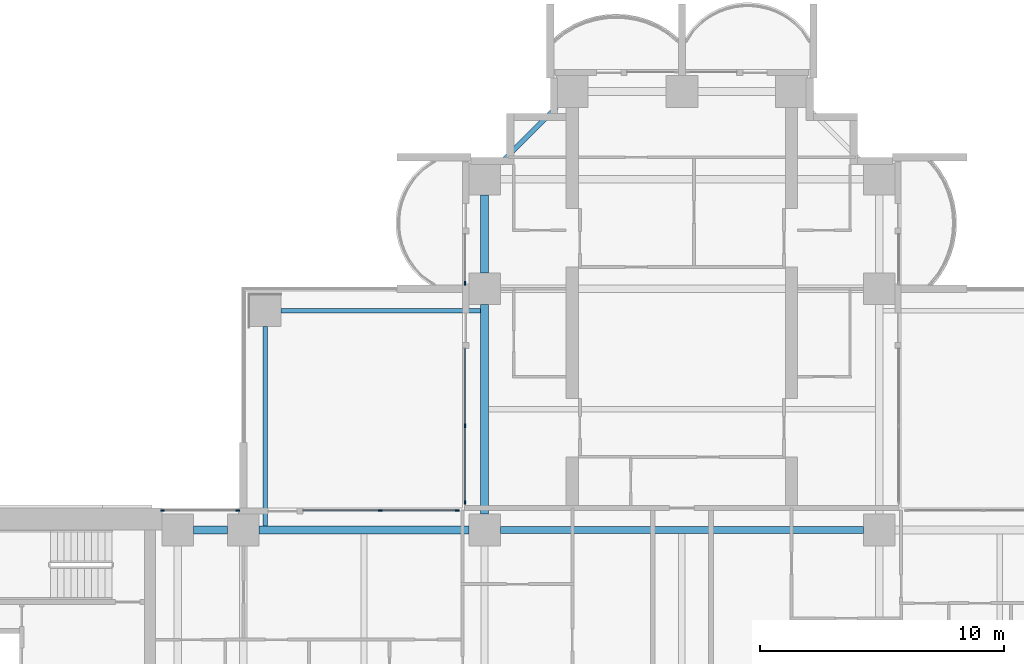
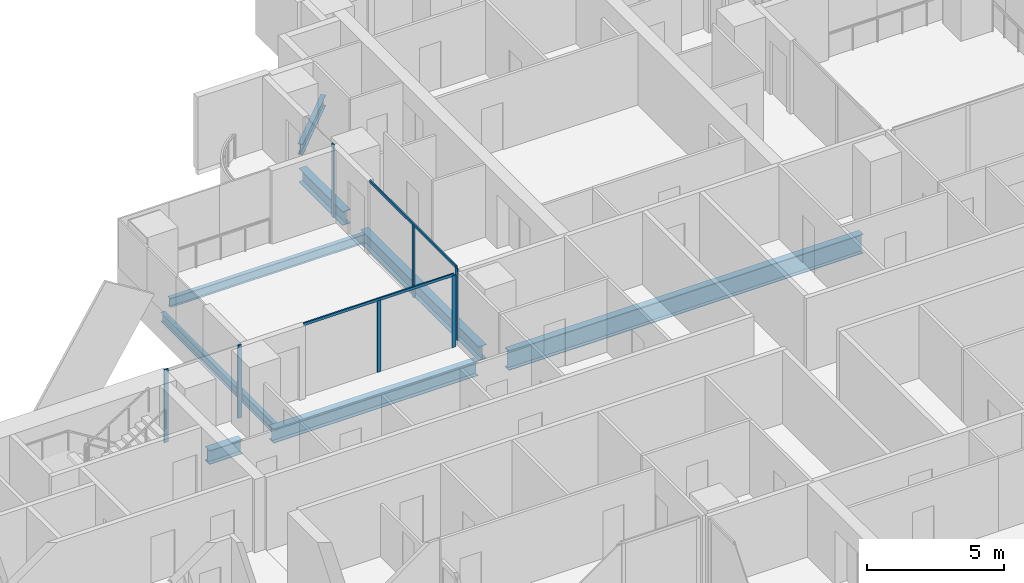
# One storey, part 6 of 23: 9 members, 8 beams, 4 elements without a shape of their own.
"""IFC4 building model written with IfcOpenShell, lengths in metres."""

from ifc_helpers import new_model, si_unit, direction, frame, origin, origin_2d, place, context, subcontext, project, spatial, rectangle, i_section, extrude, material, material_profile, profile_set, type_object, element, aggregate, save


model = new_model("IFC4")

# Units and contexts
model_context = context("Model", 3, precision=1e-05, world=origin(), true_north=direction((0.0, 1.0)))
body_context = subcontext(model_context, "Body", "Model", "MODEL_VIEW")
ifc_project = project(units=[si_unit("LENGTHUNIT", "METRE"), si_unit("AREAUNIT", "SQUARE_METRE"), si_unit("VOLUMEUNIT", "CUBIC_METRE"), si_unit("PLANEANGLEUNIT", "RADIAN"), si_unit("MASSUNIT", "GRAM", prefix="KILO")], contexts=[model_context])

# Site, building, storey
site_placement = place(None, origin())
site = spatial("IfcSite", under=ifc_project, at=site_placement, CompositionType="ELEMENT")
building_placement = place(site_placement, origin())
building = spatial("IfcBuilding", under=site, at=building_placement, Name="Perihelion Cross Residences", CompositionType="ELEMENT")
storey_placement = place(building_placement, frame((0.0, 0.0, 85.5)))
storey = spatial("IfcBuildingStorey", under=building, at=storey_placement, Name="L19", CompositionType="ELEMENT", Elevation=85.5)

# Curtain wall, member
ifc_material_1 = material(Name="Bronze anodised aluminium, tinted glazing", Category="aluminium")
curtain_wall_type = type_object("IfcCurtainWallType", Name="CW1", PredefinedType="NOTDEFINED", material=ifc_material_1)
curtain_wall_1_placement = place(storey_placement, origin())
curtain_wall_1 = element("IfcCurtainWall", 1, at=curtain_wall_1_placement, inside=storey, type_object=curtain_wall_type, Name="Curtain wall CW1 L19 north side west bay 1", PredefinedType="NOTDEFINED")
ifc_material_2 = material(Name="Bronze anodised aluminium", Category="aluminium")
ifc_material_profile_1 = material_profile(ifc_material_2, rectangle(XDim=0.06005859375, YDim=0.159912109375, at=origin_2d()), Name="CW1 mullion")
ifc_profile_set_1 = profile_set([ifc_material_profile_1], Name="Bronze anodised aluminium")
member_type_1 = type_object("IfcMemberType", Name="CW1 mullion", PredefinedType="MULLION", material=ifc_profile_set_1)
member_1_placement = place(storey_placement, frame((-8.89990234375, 18.22998046875, 0.0), z_axis=(0.0, 0.0, 1.0), x_axis=(1.0, 0.0, 0.0)))
member_1 = element("IfcMember", 2, at=member_1_placement, type_object=member_type_1, Name="CW1 mullion 2", PredefinedType="MULLION", context=body_context, shape_type="SweptSolid", body=[
    extrude(rectangle(XDim=0.06005859375, YDim=0.159912109375, at=origin_2d()), origin(), (0.0, 0.0, 1.0), 3.25),
])
aggregate(curtain_wall_1, [member_1])

# Curtain wall, members
curtain_wall_2_placement = place(storey_placement, origin())
curtain_wall_2 = element("IfcCurtainWall", 3, at=curtain_wall_2_placement, inside=storey, type_object=curtain_wall_type, Name="Curtain wall CW1 L19 north side west bay 2", PredefinedType="NOTDEFINED")
member_2_placement = place(storey_placement, frame((-8.89990234375, 12.375, 0.0), z_axis=(0.0, 0.0, 1.0), x_axis=(1.0, 0.0, 0.0)))
member_2 = element("IfcMember", 4, at=member_2_placement, type_object=member_type_1, Name="CW1 mullion 2", PredefinedType="MULLION", context=body_context, shape_type="SweptSolid", body=[
    extrude(rectangle(XDim=0.06005859375, YDim=0.159912109375, at=origin_2d()), origin(), (0.0, 0.0, 1.0), 3.18994140625),
])
member_3_placement = place(storey_placement, frame((-8.89990234375, 9.22998046875, 0.0), z_axis=(0.0, 0.0, 1.0), x_axis=(1.0, 0.0, 0.0)))
member_3 = element("IfcMember", 5, at=member_3_placement, type_object=member_type_1, Name="CW1 mullion 3", PredefinedType="MULLION", context=body_context, shape_type="SweptSolid", body=[
    extrude(rectangle(XDim=0.06005859375, YDim=0.159912109375, at=origin_2d()), origin(), (0.0, 0.0, 1.0), 3.18994140625),
])

curtain_wall_3_placement = place(storey_placement, origin())
curtain_wall_3 = element("IfcCurtainWall", 6, at=curtain_wall_3_placement, inside=storey, type_object=curtain_wall_type, Name="Curtain wall CW1 L19 west side north bay 1", PredefinedType="NOTDEFINED")
member_4_placement = place(storey_placement, frame((-9.22998046875, 8.89990234375, 0.0), z_axis=(0.0, 0.0, 1.0), x_axis=(0.0, -1.0, 0.0)))
member_4 = element("IfcMember", 7, at=member_4_placement, type_object=member_type_1, Name="CW1 mullion 1", PredefinedType="MULLION", context=body_context, shape_type="SweptSolid", body=[
    extrude(rectangle(XDim=0.06005859375, YDim=0.159912109375, at=origin_2d()), origin(), (0.0, 0.0, 1.0), 3.18994140625),
])
member_5_placement = place(storey_placement, frame((-12.375, 8.89990234375, 0.0), z_axis=(0.0, 0.0, 1.0), x_axis=(0.0, -1.0, 0.0)))
member_5 = element("IfcMember", 8, at=member_5_placement, type_object=member_type_1, Name="CW1 mullion 2", PredefinedType="MULLION", context=body_context, shape_type="SweptSolid", body=[
    extrude(rectangle(XDim=0.06005859375, YDim=0.159912109375, at=origin_2d()), origin(), (0.0, 0.0, 1.0), 3.18994140625),
])

curtain_wall_4_placement = place(storey_placement, origin())
curtain_wall_4 = element("IfcCurtainWall", 9, at=curtain_wall_4_placement, inside=storey, type_object=curtain_wall_type, Name="Curtain wall CW1 L19 west side north bay 2", PredefinedType="NOTDEFINED")
member_6_placement = place(storey_placement, frame((-18.22998046875, 8.89990234375, 0.0), z_axis=(0.0, 0.0, 1.0), x_axis=(0.0, -1.0, 0.0)))
member_6 = element("IfcMember", 10, at=member_6_placement, type_object=member_type_1, Name="CW1 mullion 1", PredefinedType="MULLION", context=body_context, shape_type="SweptSolid", body=[
    extrude(rectangle(XDim=0.06005859375, YDim=0.159912109375, at=origin_2d()), origin(), (0.0, 0.0, 1.0), 3.25),
])
member_7_placement = place(storey_placement, frame((-21.320068359375, 8.89990234375, 0.0), z_axis=(0.0, 0.0, 1.0), x_axis=(0.0, -1.0, 0.0)))
member_7 = element("IfcMember", 11, at=member_7_placement, type_object=member_type_1, Name="CW1 mullion 2", PredefinedType="MULLION", context=body_context, shape_type="SweptSolid", body=[
    extrude(rectangle(XDim=0.06005859375, YDim=0.159912109375, at=origin_2d()), origin(), (0.0, 0.0, 1.0), 3.25),
])
aggregate(curtain_wall_4, [member_6, member_7])

# Member
ifc_material_3 = material(Name="Bronze anodised aluminium", Category="aluminium")
ifc_material_profile_2 = material_profile(ifc_material_3, rectangle(XDim=0.06005859375, YDim=0.1201171875, at=origin_2d()), Name="CW1 transom")
ifc_profile_set_2 = profile_set([ifc_material_profile_2], Name="Bronze anodised aluminium")
member_type_2 = type_object("IfcMemberType", Name="CW1 transom", PredefinedType="USERDEFINED", material=ifc_profile_set_2)
member_8_placement = place(storey_placement, frame((-8.89990234375, 15.550048828125, 3.219970703125), z_axis=(0.0, -1.0, 0.0), x_axis=(1.0, 0.0, 0.0)))
member_8 = element("IfcMember", 12, at=member_8_placement, type_object=member_type_2, Name="CW1 head transom", ObjectType="TRANSOM", PredefinedType="USERDEFINED", context=body_context, shape_type="SweptSolid", body=[
    extrude(rectangle(XDim=0.06005859375, YDim=0.1201171875, at=origin_2d()), origin(), (0.0, 0.0, 1.0), 6.320068359375),
])

aggregate(curtain_wall_2, [member_2, member_3, member_8])

member_9_placement = place(storey_placement, frame((-9.22998046875, 8.89990234375, 3.219970703125), z_axis=(-1.0, 0.0, 0.0), x_axis=(0.0, -1.0, 0.0)))
member_9 = element("IfcMember", 13, at=member_9_placement, type_object=member_type_2, Name="CW1 head transom", ObjectType="TRANSOM", PredefinedType="USERDEFINED", context=body_context, shape_type="SweptSolid", body=[
    extrude(rectangle(XDim=0.06005859375, YDim=0.1201171875, at=origin_2d()), origin(), (0.0, 0.0, 1.0), 6.320068359375),
])

aggregate(curtain_wall_3, [member_4, member_5, member_9])

# Beams
ifc_material_4 = material(Name="Steel S355", Category="steel")
ifc_material_profile_3 = material_profile(ifc_material_4, i_section(OverallWidth=0.177978515625, OverallDepth=0.406005859375, WebThickness=0.0078125, FlangeThickness=0.0126953125, at=origin_2d()), Name="W410x60")
ifc_profile_set_3 = profile_set([ifc_material_profile_3], Name="Steel S355")
beam_type_1 = type_object("IfcBeamType", Name="Core edge beam W410x60", PredefinedType="BEAM", material=ifc_profile_set_3)
for number, where, z_axis, x_axis, name in (
    (14, (-17.10009765625, 8.262451171875, -0.452880859375), (0.0, 1.0, 0.0), (-1.0, 0.0, 0.0), "Core edge beam TB2 L19 corner no. 3"),
    (15, (-8.262451171875, 17.10009765625, -0.452880859375), (-1.0, 0.0, 0.0), (0.0, -1.0, 0.0), "Core edge beam TB2 L19 corner no. 4"),
):
    element("IfcBeam", number, at=place(storey_placement, frame(where, z_axis=z_axis, x_axis=x_axis)), inside=storey, type_object=beam_type_1, Name=name, PredefinedType="BEAM", context=body_context, shape_type="SweptSolid", body=[
        extrude(i_section(OverallWidth=0.177978515625, OverallDepth=0.406005859375, WebThickness=0.0078125, FlangeThickness=0.0126953125, at=origin_2d()), origin(), (0.0, 0.0, 1.0), 8.1875),
    ])
ifc_material_5 = material(Name="Steel S355", Category="steel")
ifc_material_profile_4 = material_profile(ifc_material_5, i_section(OverallWidth=0.324951171875, OverallDepth=0.616943359375, WebThickness=0.013916015625, FlangeThickness=0.021484375, at=origin_2d()), Name="W610x174")
ifc_profile_set_4 = profile_set([ifc_material_profile_4], Name="Steel S355")
beam_type_2 = type_object("IfcBeamType", Name="Edge beam W610x174", PredefinedType="SPANDREL", material=ifc_profile_set_4)
beam_1_placement = place(storey_placement, frame((-8.10009765625, 21.85009765625, -0.55859375), z_axis=(0.0, -1.0, 0.0), x_axis=(1.0, 0.0, 0.0)))
element("IfcBeam", 16, at=beam_1_placement, inside=storey, type_object=beam_type_2, Name="Edge beam SB2 L19 no. 8", PredefinedType="SPANDREL", context=body_context, shape_type="SweptSolid", body=[
    extrude(i_section(OverallWidth=0.324951171875, OverallDepth=0.616943359375, WebThickness=0.013916015625, FlangeThickness=0.021484375, at=origin_2d()), origin(), (0.0, 0.0, 1.0), 3.2001953125),
])
for number, where, z_axis, x_axis, name in (
    (17, (-8.10009765625, 17.35009765625, -0.55859375), (0.0, -1.0, 0.0), (1.0, 0.0, 0.0), "Edge beam SB2 L19 no. 7"),
    (18, (-8.75, 8.10009765625, -0.55859375), (-1.0, 0.0, 0.0), (0.0, -1.0, 0.0), "Edge beam SB2 L19 no. 9"),
):
    element("IfcBeam", number, at=place(storey_placement, frame(where, z_axis=z_axis, x_axis=x_axis)), inside=storey, type_object=beam_type_2, Name=name, PredefinedType="SPANDREL", context=body_context, shape_type="SweptSolid", body=[
        extrude(i_section(OverallWidth=0.324951171875, OverallDepth=0.616943359375, WebThickness=0.013916015625, FlangeThickness=0.021484375, at=origin_2d()), origin(), (0.0, 0.0, 1.0), 8.60009765625),
    ])
beam_2_placement = place(storey_placement, frame((-18.64990234375, 8.10009765625, -0.55859375), z_axis=(-1.0, 0.0, 0.0), x_axis=(0.0, -1.0, 0.0)))
element("IfcBeam", 19, at=beam_2_placement, inside=storey, type_object=beam_type_2, Name="Edge beam SB2 L19 no. 2", PredefinedType="SPANDREL", context=body_context, shape_type="SweptSolid", body=[
    extrude(i_section(OverallWidth=0.324951171875, OverallDepth=0.616943359375, WebThickness=0.013916015625, FlangeThickness=0.021484375, at=origin_2d()), origin(), (0.0, 0.0, 1.0), 1.400146484375),
])
ifc_material_6 = material(Name="Steel S355", Category="steel")
ifc_material_profile_5 = material_profile(ifc_material_6, i_section(OverallWidth=0.2919921875, OverallDepth=0.85888671875, WebThickness=0.01708984375, FlangeThickness=0.031005859375, at=origin_2d()), Name="W840x251")
ifc_profile_set_5 = profile_set([ifc_material_profile_5], Name="Steel S355")
beam_type_3 = type_object("IfcBeamType", Name="Hub ring girder W840x251", PredefinedType="BEAM", material=ifc_profile_set_5)
beam_3_placement = place(storey_placement, frame((7.449951171875, 8.10009765625, -0.679443359375), z_axis=(-1.0, 0.0, 0.0), x_axis=(0.0, -1.0, 0.0)))
element("IfcBeam", 20, at=beam_3_placement, inside=storey, type_object=beam_type_3, Name="Hub ring girder RG2 L19 no. 4", PredefinedType="BEAM", context=body_context, shape_type="SweptSolid", body=[
    extrude(i_section(OverallWidth=0.2919921875, OverallDepth=0.85888671875, WebThickness=0.01708984375, FlangeThickness=0.031005859375, at=origin_2d()), origin(), (0.0, 0.0, 1.0), 14.89990234375),
])
ifc_material_7 = material(Name="Steel S355", Category="steel")
ifc_material_profile_6 = material_profile(ifc_material_7, i_section(OverallWidth=0.194091796875, OverallDepth=0.469970703125, WebThickness=0.0126953125, FlangeThickness=0.0205078125, at=origin_2d()), Name="W460x106")
ifc_profile_set_6 = profile_set([ifc_material_profile_6], Name="Steel S355")
beam_type_4 = type_object("IfcBeamType", Name="Serration edge beam W460x106", PredefinedType="BEAM", material=ifc_profile_set_6)
beam_4_placement = place(storey_placement, frame((-5.14990234375, 25.449951171875, -0.485107421875), z_axis=(-0.707106781187, -0.707106781187, 0.0), x_axis=(0.707106781187, -0.707106781187, 0.0)))
element("IfcBeam", 21, at=beam_4_placement, inside=storey, type_object=beam_type_4, Name="Serration edge beam EB2 L19 no. 1", PredefinedType="BEAM", context=body_context, shape_type="SweptSolid", body=[
    extrude(i_section(OverallWidth=0.194091796875, OverallDepth=0.469970703125, WebThickness=0.0126953125, FlangeThickness=0.0205078125, at=origin_2d()), origin(), (0.0, 0.0, 1.0), 3.252685546875),
])

save(model, "model.ifc")
